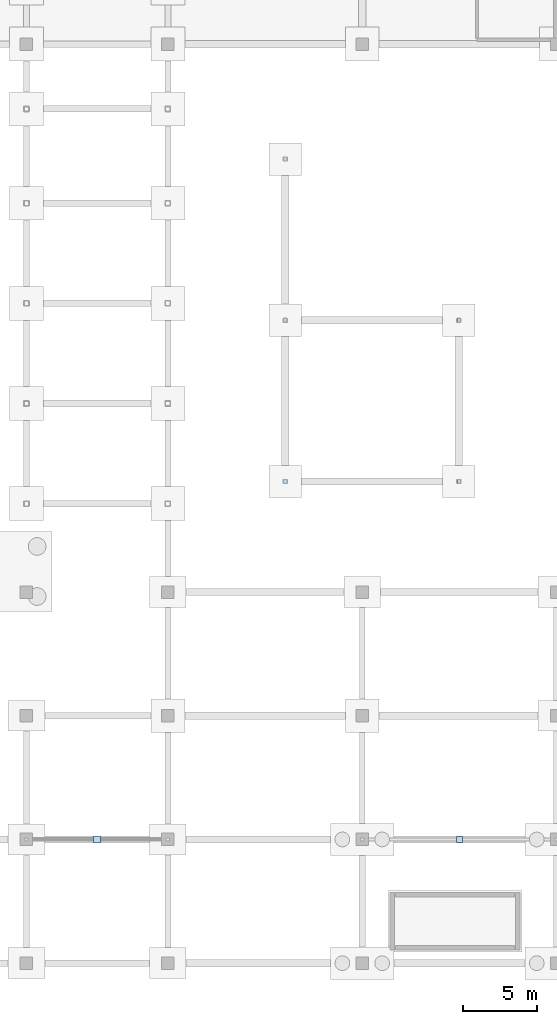
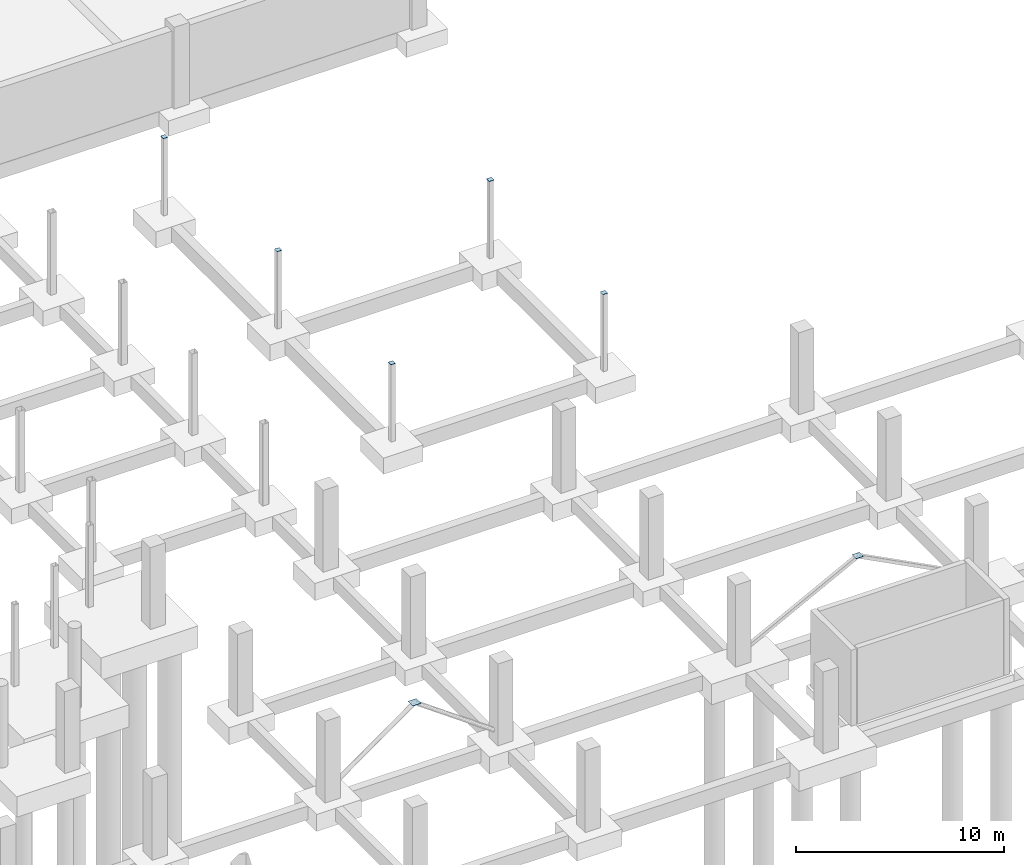
# One storey, part 34 of 44: 7 plates.
"""IFC4 building model written with IfcOpenShell, lengths in metres."""

from ifc_helpers import new_model, si_unit, direction, frame, origin, origin_2d, place, context, subcontext, project, spatial, rectangle, extrude, material, layer, layer_set, type_object, element, save


model = new_model("IFC4")

# Units and contexts
model_context = context("Model", 3, precision=1e-05, world=origin(), true_north=direction((0.0, 1.0)))
body_context = subcontext(model_context, "Body", "Model", "MODEL_VIEW")
ifc_project = project(units=[si_unit("LENGTHUNIT", "METRE"), si_unit("AREAUNIT", "SQUARE_METRE"), si_unit("VOLUMEUNIT", "CUBIC_METRE"), si_unit("PLANEANGLEUNIT", "RADIAN"), si_unit("MASSUNIT", "GRAM", prefix="KILO")], contexts=[model_context])

# Site, building, storey
site_placement = place(None, origin())
site = spatial("IfcSite", under=ifc_project, at=site_placement, CompositionType="ELEMENT")
building_placement = place(site_placement, origin())
building = spatial("IfcBuilding", under=site, at=building_placement, Name="Kisaragi Civic Commons", CompositionType="ELEMENT")
storey_placement = place(building_placement, frame((0.0, 0.0, -4.800048828125)))
storey = spatial("IfcBuildingStorey", under=building, at=storey_placement, Name="B1", CompositionType="ELEMENT", Elevation=-4.800048828125)

# Plates
ifc_material = material(Name="Steel SN490 (SN490B)", Category="steel")
ifc_layer_1 = layer(ifc_material, 0.01611328125, Name="Steel SN490 (SN490B)", Category="steel")
ifc_layer_set_1 = layer_set([ifc_layer_1], Name="Steel SN490 (SN490B)")
plate_type_1 = type_object("IfcPlateType", Name="CP-04", PredefinedType="SHEET", material=ifc_layer_set_1)
for number, where, z_axis, x_axis, name in (
    (1, (141.174072265625, 32.7060546875, 4.5390625), (0.0, 0.0, 1.0), (1.0, 0.0, 0.0), "B1 column cap plate CP-04 (141.2,32.7)"),
    (2, (141.174072265625, 43.64990234375, 4.5390625), (0.0, 0.0, 1.0), (1.0, 0.0, 0.0), "B1 column cap plate CP-04 (141.2,43.6)"),
    (3, (141.174072265625, 54.593994140625, 4.5390625), (0.0, 0.0, 1.0), (1.0, 0.0, 0.0), "B1 column cap plate CP-04 (141.2,54.6)"),
    (4, (152.949951171875, 32.7060546875, 4.5390625), (0.0, 0.0, 1.0), (1.0, 0.0, 0.0), "B1 column cap plate CP-04 (152.9,32.7)"),
    (5, (152.949951171875, 43.64990234375, 4.5390625), (0.0, 0.0, 1.0), (1.0, 0.0, 0.0), "B1 column cap plate CP-04 (152.9,43.6)"),
):
    element("IfcPlate", number, at=place(storey_placement, frame(where, z_axis=z_axis, x_axis=x_axis)), inside=storey, type_object=plate_type_1, Name=name, PredefinedType="SHEET", context=body_context, shape_type="SweptSolid", body=[
        extrude(rectangle(XDim=0.264892578125, YDim=0.264892578125, at=origin_2d()), origin(), (0.0, 0.0, 1.0), 0.01611328125),
    ])
ifc_layer_2 = layer(ifc_material, 0.02197265625, Name="Steel SN490 (SN490B)", Category="steel")
ifc_layer_set_2 = layer_set([ifc_layer_2], Name="Steel SN490 (SN490B)")
plate_type_2 = type_object("IfcPlateType", Name="GP-01", PredefinedType="SHEET", material=ifc_layer_set_2)
plate_1_placement = place(storey_placement, frame((128.39990234375, 8.39990234375, 3.819091796875), z_axis=(0.0, 0.0, 1.0), x_axis=(1.0, 0.0, 0.0)))
element("IfcPlate", 6, at=plate_1_placement, inside=storey, type_object=plate_type_2, Name="B1 brace apex gusset plate GP-01 9", PredefinedType="SHEET", context=body_context, shape_type="SweptSolid", body=[
    extrude(rectangle(XDim=0.4599609375, YDim=0.4599609375, at=origin_2d()), origin(), (0.0, 0.0, 1.0), 0.02197265625),
])
ifc_layer_3 = layer(ifc_material, 0.01611328125, Name="Steel SN490 (SN490B)", Category="steel")
ifc_layer_set_3 = layer_set([ifc_layer_3], Name="Steel SN490 (SN490B)")
plate_type_3 = type_object("IfcPlateType", Name="GP-06", PredefinedType="SHEET", material=ifc_layer_set_3)
plate_2_placement = place(storey_placement, frame((153.0, 8.39990234375, 3.822021484375), z_axis=(0.0, 0.0, 1.0), x_axis=(1.0, 0.0, 0.0)))
element("IfcPlate", 7, at=plate_2_placement, inside=storey, type_object=plate_type_3, Name="B1 brace apex gusset plate GP-06 10", PredefinedType="SHEET", context=body_context, shape_type="SweptSolid", body=[
    extrude(rectangle(XDim=0.39990234375, YDim=0.39990234375, at=origin_2d()), origin(), (0.0, 0.0, 1.0), 0.01611328125),
])

save(model, "model.ifc")
